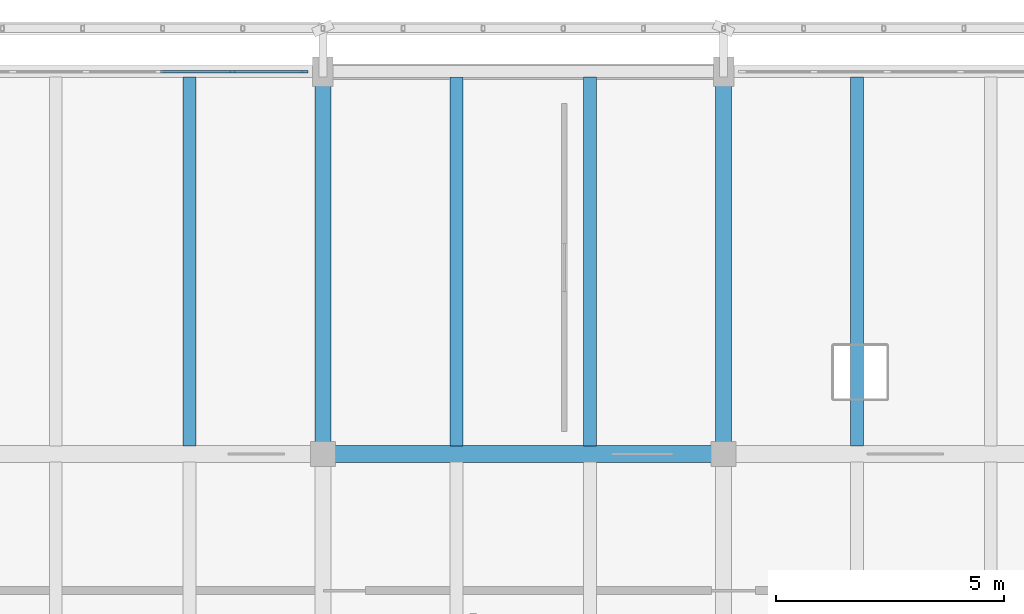
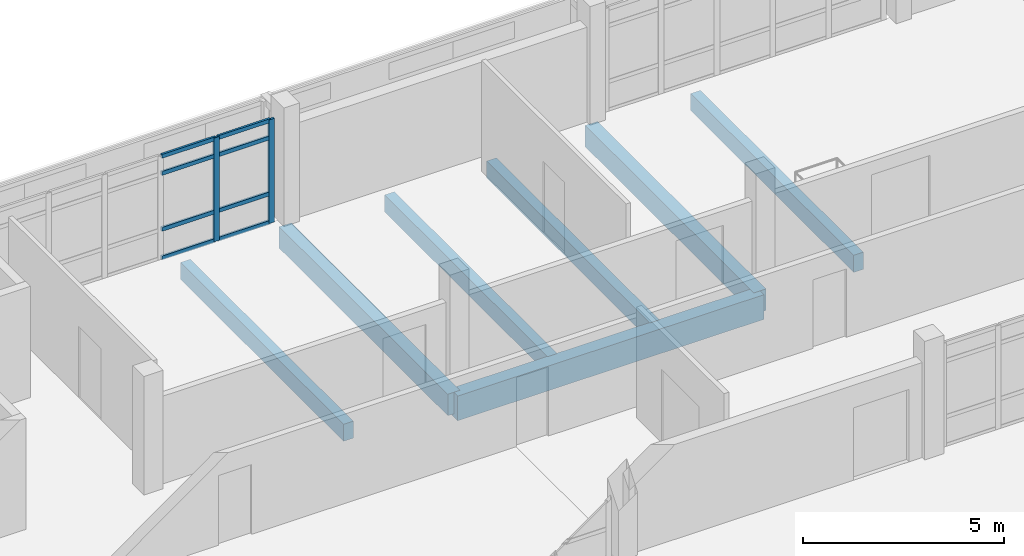
# One storey, part 13 of 30: 10 members, 7 beams, 1 element without a shape of its own.
"""IFC4 building model written with IfcOpenShell, lengths in metres."""

import ifcopenshell
import ifcopenshell.guid

model = None  # the IFC model being written
_history = None  # IfcOwnerHistory: only IFC2X3 demands one
_inside = {}  # id of a spatial element -> (the spatial element, [elements in it])
_under = {}  # id of a project, library or spatial element -> (it, [spatial elements below it])
_declared = {}  # id of a project -> (the project, [libraries it declares])
_typed = {}  # id of a type object -> (the type object, [elements of that type])
_made_of = {}  # id of a material, layer set ... -> (it, [elements and type objects made of it])


def new_model(schema):
    """Start an empty IFC model of exactly this schema.

    Asked for "IFC4X3", IfcOpenShell would pick the latest addendum, in which some entities
    have other attributes; the version numbers below select the first issue.
    IFC2X3 requires an IfcOwnerHistory on every rooted entity: one is made here for all.
    """
    global model, _history
    if schema == "IFC4X3":
        model = ifcopenshell.file(schema_version=(4, 3, 0, 0))
    else:
        model = ifcopenshell.file(schema=schema)
    _inside.clear()
    _under.clear()
    _declared.clear()
    _typed.clear()
    _made_of.clear()
    _history = None
    if model.schema == "IFC2X3":
        org = make("IfcOrganization", Name="unknown")
        user = make(
            "IfcPersonAndOrganization",
            ThePerson=make("IfcPerson", FamilyName="unknown"),
            TheOrganization=org,
        )
        app = make(
            "IfcApplication",
            ApplicationDeveloper=org,
            Version="unknown",
            ApplicationFullName="unknown",
            ApplicationIdentifier="unknown",
        )
        _history = make(
            "IfcOwnerHistory",
            OwningUser=user,
            OwningApplication=app,
            ChangeAction="ADDED",
            CreationDate=0,
        )
    return model


def make(cls, **values):
    """One entity of the class cls with the attributes given. An attribute that is None is left unset."""
    return model.create_entity(
        cls, **{name: value for name, value in values.items() if value is not None}
    )


def rooted(cls, **values):
    """An entity with a GlobalId (a new one), such as an element, a storey or a relation."""
    return make(cls, GlobalId=ifcopenshell.guid.new(), OwnerHistory=_history, **values)


def si_unit(unit_type, name, prefix=None):
    """IfcSIUnit, for example si_unit("LENGTHUNIT", "METRE", prefix="MILLI")."""
    return make("IfcSIUnit", UnitType=unit_type, Prefix=prefix, Name=name)


def assignment(units):
    """IfcUnitAssignment: the units of a project."""
    return None if units is None else make("IfcUnitAssignment", Units=units)


def point(xyz):
    """IfcCartesianPoint."""
    return None if xyz is None else make("IfcCartesianPoint", Coordinates=xyz)


def direction(xyz):
    """IfcDirection."""
    return None if xyz is None else make("IfcDirection", DirectionRatios=xyz)


def frame(location, z_axis=None, x_axis=None):
    """IfcAxis2Placement3D, a coordinate frame: its origin and axes. An axis left out is left unset."""
    return make(
        "IfcAxis2Placement3D",
        Location=point(location),
        Axis=direction(z_axis),
        RefDirection=direction(x_axis),
    )


def frame_2d(location, x_axis=None):
    """IfcAxis2Placement2D, a coordinate frame in the plane: its origin and x axis."""
    return make(
        "IfcAxis2Placement2D", Location=point(location), RefDirection=direction(x_axis)
    )


def origin():
    """The frame at (0, 0, 0) with its axes left unset."""
    return frame((0.0, 0.0, 0.0))


def origin_2d():
    """The frame at (0, 0) in the plane with its x axis left unset."""
    return frame_2d((0.0, 0.0))


def place(relative_to, where):
    """IfcLocalPlacement: puts the frame where relative to a parent placement (None: the world)."""
    return make(
        "IfcLocalPlacement", PlacementRelTo=relative_to, RelativePlacement=where
    )


def context(
    kind, dimensions, precision=None, world=None, true_north=None, identifier=None
):
    """IfcGeometricRepresentationContext, for example the 3D "Model" context."""
    return make(
        "IfcGeometricRepresentationContext",
        ContextIdentifier=identifier,
        ContextType=kind,
        CoordinateSpaceDimension=dimensions,
        Precision=precision,
        WorldCoordinateSystem=world,
        TrueNorth=true_north,
    )


def subcontext(parent, identifier, kind, view, scale=None):
    """IfcGeometricRepresentationSubContext, for example "Body" below "Model"."""
    return make(
        "IfcGeometricRepresentationSubContext",
        ContextIdentifier=identifier,
        ContextType=kind,
        ParentContext=parent,
        TargetScale=scale,
        TargetView=view,
    )


def project(units=None, contexts=None):
    """IfcProject with its units and contexts."""
    return rooted(
        "IfcProject",
        Name="project",
        RepresentationContexts=contexts,
        UnitsInContext=assignment(units),
    )


def spatial(cls, under=None, at=None, **own):
    """A site, building, storey or space (cls), placed at a placement, below another one or the project."""
    s = rooted(cls, ObjectPlacement=at, **own)
    if under is not None:
        _under.setdefault(under.id(), (under, []))[1].append(s)
    return s


def profile(cls, at=None, kind="AREA", **sizes):
    """A parametric profile (cls). Its sizes go by their IFC names, for example OverallWidth=200.0."""
    return make(cls, ProfileType=kind, Position=at, **sizes)


def rectangle(**sizes):
    """IfcRectangleProfileDef."""
    return profile("IfcRectangleProfileDef", **sizes)


def extrude(swept, where, along, depth):
    """IfcExtrudedAreaSolid: the profile swept, set in the frame where, extruded along a direction by depth."""
    return make(
        "IfcExtrudedAreaSolid",
        SweptArea=swept,
        Position=where,
        ExtrudedDirection=direction(along),
        Depth=depth,
    )


def shape(context_of_items, identifier, shape_type, items):
    """IfcShapeRepresentation: the items that make up one representation, for example the "Body"."""
    return make(
        "IfcShapeRepresentation",
        ContextOfItems=context_of_items,
        RepresentationIdentifier=identifier,
        RepresentationType=shape_type,
        Items=items,
    )


def material(Name=None, Category=None):
    """IfcMaterial."""
    return make("IfcMaterial", Name=Name, Category=Category)


def material_profile(
    of_material, cross_section, Name=None, Category=None, Priority=None
):
    """IfcMaterialProfile: a cross section and its material."""
    return make(
        "IfcMaterialProfile",
        Name=Name,
        Material=of_material,
        Profile=cross_section,
        Priority=Priority,
        Category=Category,
    )


def profile_set(profiles, Name=None, composite=None):
    """IfcMaterialProfileSet."""
    return make(
        "IfcMaterialProfileSet",
        Name=Name,
        MaterialProfiles=profiles,
        CompositeProfile=composite,
    )


def made_of(thing, what):
    """Note that an element or type object is made of a material, layer set ...; save() writes the relation."""
    if what is not None:
        _made_of.setdefault(what.id(), (what, []))[1].append(thing)
    return thing


def type_object(cls, material=None, **own):
    """A type object (cls), such as IfcWallType, which elements share."""
    return made_of(rooted(cls, **own), material)


def element(
    cls,
    number,
    at=None,
    inside=None,
    cuts=None,
    type_object=None,
    material=None,
    context=None,
    identifier="Body",
    shape_type=None,
    held_by="IfcProductDefinitionShape",
    body=None,
    shapes=None,
    **own,
):
    """One element of the class cls, such as IfcWall. Its Tag is "e" and its number.

    at: its placement. inside: the storey or other place that contains it. cuts: it is an
    opening in that element (IfcRelVoidsElement). A single representation is given by context,
    identifier, shape_type and body (its items); several are given by shapes. held_by: the class
    of the entity that holds the representations. save() writes the other relations.
    """
    e = rooted(cls, Tag="e%d" % number, ObjectPlacement=at, **own)
    if body is not None:
        shapes = [shape(context, identifier, shape_type, body)]
    if shapes is not None:
        e.Representation = make(held_by, Representations=shapes)
    if inside is not None:
        _inside.setdefault(inside.id(), (inside, []))[1].append(e)
    if cuts is not None:
        rooted(
            "IfcRelVoidsElement", RelatingBuildingElement=cuts, RelatedOpeningElement=e
        )
    if type_object is not None:
        _typed.setdefault(type_object.id(), (type_object, []))[1].append(e)
    return made_of(e, material)


def aggregate(whole, parts):
    """IfcRelAggregates: a whole, such as a stair, and the parts it consists of."""
    return rooted("IfcRelAggregates", RelatingObject=whole, RelatedObjects=parts)


def save(model, path):
    """Write the relations noted so far, then the file.

    IfcRelAggregates (storeys below a building ...), IfcRelContainedInSpatialStructure (elements
    in a storey), IfcRelDefinesByType, IfcRelAssociatesMaterial and IfcRelDeclares: one each for
    every whole, place, type object, material and project.
    """
    for whole, parts in _under.values():
        aggregate(whole, parts)
    for where, things in _inside.values():
        rooted(
            "IfcRelContainedInSpatialStructure",
            RelatedElements=things,
            RelatingStructure=where,
        )
    for kind, things in _typed.values():
        rooted("IfcRelDefinesByType", RelatedObjects=things, RelatingType=kind)
    for what, things in _made_of.values():
        rooted("IfcRelAssociatesMaterial", RelatedObjects=things, RelatingMaterial=what)
    for by, libraries in _declared.values():
        rooted("IfcRelDeclares", RelatingContext=by, RelatedDefinitions=libraries)
    model.write(path)


model = new_model("IFC4")

# Units and contexts
model_context = context("Model", 3, precision=1e-05, world=origin(), true_north=direction((0.0, 1.0)))
body_context = subcontext(model_context, "Body", "Model", "MODEL_VIEW")
ifc_project = project(units=[si_unit("LENGTHUNIT", "METRE"), si_unit("AREAUNIT", "SQUARE_METRE"), si_unit("VOLUMEUNIT", "CUBIC_METRE"), si_unit("PLANEANGLEUNIT", "RADIAN"), si_unit("MASSUNIT", "GRAM", prefix="KILO")], contexts=[model_context])

# Site, building, storey
site_placement = place(None, origin())
site = spatial("IfcSite", under=ifc_project, at=site_placement, CompositionType="ELEMENT")
building_placement = place(site_placement, origin())
building = spatial("IfcBuilding", under=site, at=building_placement, Name="Cinderway Yard Community Centre", CompositionType="ELEMENT")
storey_placement = place(building_placement, frame((0.0, 0.0, 16.5)))
storey = spatial("IfcBuildingStorey", under=building, at=storey_placement, Name="L04", CompositionType="ELEMENT", Elevation=16.5)

# Curtain wall, members
ifc_material_1 = material(Name="Aluminium 6063-T6", Category="aluminium")
curtain_wall_type = type_object("IfcCurtainWallType", Name="ENV-CW-TYPE-33", PredefinedType="USERDEFINED", material=ifc_material_1)
curtain_wall_placement = place(storey_placement, origin())
curtain_wall = element("IfcCurtainWall", 1, at=curtain_wall_placement, inside=storey, type_object=curtain_wall_type, Name="V4 Street Curtain Wall ENV-CW-L04-ST-0181", ObjectType="GLAZED CURTAIN WALL", PredefinedType="USERDEFINED")
ifc_material_profile_1 = material_profile(ifc_material_1, rectangle(XDim=0.06005859375, YDim=0.159912109375, at=origin_2d()), Name="Aluminium 6063-T6")
ifc_profile_set_1 = profile_set([ifc_material_profile_1], Name="Aluminium 6063-T6")
member_type_1 = type_object("IfcMemberType", Name="ENV-CW-MULL-150", PredefinedType="MULLION", material=ifc_profile_set_1)
member_1_placement = place(storey_placement, frame((90.81201171875, 115.199951171875, 0.0), z_axis=(0.0, 0.0, 1.0), x_axis=(0.0, 1.0, 0.0)))
member_1 = element("IfcMember", 2, at=member_1_placement, type_object=member_type_1, Name="CW-33 mullion 5", PredefinedType="MULLION", context=body_context, shape_type="SweptSolid", body=[
    extrude(rectangle(XDim=0.06005859375, YDim=0.159912109375, at=origin_2d()), origin(), (0.0, 0.0, 1.0), 3.14990234375),
])
member_2_placement = place(storey_placement, frame((92.389892578125, 115.199951171875, 0.0), z_axis=(0.0, 0.0, 1.0), x_axis=(0.0, 1.0, 0.0)))
member_2 = element("IfcMember", 3, at=member_2_placement, type_object=member_type_1, Name="CW-33 mullion 6", PredefinedType="MULLION", context=body_context, shape_type="SweptSolid", body=[
    extrude(rectangle(XDim=0.06005859375, YDim=0.159912109375, at=origin_2d()), origin(), (0.0, 0.0, 1.0), 3.14990234375),
])
ifc_material_profile_2 = material_profile(ifc_material_1, rectangle(XDim=0.06005859375, YDim=0.1201171875, at=origin_2d()), Name="Aluminium 6063-T6")
ifc_profile_set_2 = profile_set([ifc_material_profile_2], Name="Aluminium 6063-T6")
member_type_2 = type_object("IfcMemberType", Name="ENV-CW-TRAN-110", PredefinedType="USERDEFINED", material=ifc_profile_set_2)
member_3_placement = place(storey_placement, frame((89.23388671875, 115.199951171875, 0.030029296875), z_axis=(1.0, 0.0, 0.0), x_axis=(0.0, 1.0, 0.0)))
member_3 = element("IfcMember", 4, at=member_3_placement, type_object=member_type_2, Name="CW-33 transom 4.1", ObjectType="TRANSOM", PredefinedType="USERDEFINED", context=body_context, shape_type="SweptSolid", body=[
    extrude(rectangle(XDim=0.06005859375, YDim=0.1201171875, at=origin_2d()), origin(), (0.0, 0.0, 1.0), 1.548095703125),
])
member_4_placement = place(storey_placement, frame((89.23388671875, 115.199951171875, 0.89990234375), z_axis=(1.0, 0.0, 0.0), x_axis=(0.0, 1.0, 0.0)))
member_4 = element("IfcMember", 5, at=member_4_placement, type_object=member_type_2, Name="CW-33 transom 4.2", ObjectType="TRANSOM", PredefinedType="USERDEFINED", context=body_context, shape_type="SweptSolid", body=[
    extrude(rectangle(XDim=0.06005859375, YDim=0.1201171875, at=origin_2d()), origin(), (0.0, 0.0, 1.0), 1.548095703125),
])
member_5_placement = place(storey_placement, frame((89.23388671875, 115.199951171875, 2.60009765625), z_axis=(1.0, 0.0, 0.0), x_axis=(0.0, 1.0, 0.0)))
member_5 = element("IfcMember", 6, at=member_5_placement, type_object=member_type_2, Name="CW-33 transom 4.3", ObjectType="TRANSOM", PredefinedType="USERDEFINED", context=body_context, shape_type="SweptSolid", body=[
    extrude(rectangle(XDim=0.06005859375, YDim=0.1201171875, at=origin_2d()), origin(), (0.0, 0.0, 1.0), 1.548095703125),
])
member_6_placement = place(storey_placement, frame((89.23388671875, 115.199951171875, 3.1201171875), z_axis=(1.0, 0.0, 0.0), x_axis=(0.0, 1.0, 0.0)))
member_6 = element("IfcMember", 7, at=member_6_placement, type_object=member_type_2, Name="CW-33 transom 4.4", ObjectType="TRANSOM", PredefinedType="USERDEFINED", context=body_context, shape_type="SweptSolid", body=[
    extrude(rectangle(XDim=0.06005859375, YDim=0.1201171875, at=origin_2d()), origin(), (0.0, 0.0, 1.0), 1.548095703125),
])
member_7_placement = place(storey_placement, frame((90.842041015625, 115.199951171875, 0.030029296875), z_axis=(1.0, 0.0, 0.0), x_axis=(0.0, 1.0, 0.0)))
member_7 = element("IfcMember", 8, at=member_7_placement, type_object=member_type_2, Name="CW-33 transom 5.1", ObjectType="TRANSOM", PredefinedType="USERDEFINED", context=body_context, shape_type="SweptSolid", body=[
    extrude(rectangle(XDim=0.06005859375, YDim=0.1201171875, at=origin_2d()), origin(), (0.0, 0.0, 1.0), 1.51806640625),
])
member_8_placement = place(storey_placement, frame((90.842041015625, 115.199951171875, 0.89990234375), z_axis=(1.0, 0.0, 0.0), x_axis=(0.0, 1.0, 0.0)))
member_8 = element("IfcMember", 9, at=member_8_placement, type_object=member_type_2, Name="CW-33 transom 5.2", ObjectType="TRANSOM", PredefinedType="USERDEFINED", context=body_context, shape_type="SweptSolid", body=[
    extrude(rectangle(XDim=0.06005859375, YDim=0.1201171875, at=origin_2d()), origin(), (0.0, 0.0, 1.0), 1.51806640625),
])
member_9_placement = place(storey_placement, frame((90.842041015625, 115.199951171875, 2.60009765625), z_axis=(1.0, 0.0, 0.0), x_axis=(0.0, 1.0, 0.0)))
member_9 = element("IfcMember", 10, at=member_9_placement, type_object=member_type_2, Name="CW-33 transom 5.3", ObjectType="TRANSOM", PredefinedType="USERDEFINED", context=body_context, shape_type="SweptSolid", body=[
    extrude(rectangle(XDim=0.06005859375, YDim=0.1201171875, at=origin_2d()), origin(), (0.0, 0.0, 1.0), 1.51806640625),
])
member_10_placement = place(storey_placement, frame((90.842041015625, 115.199951171875, 3.1201171875), z_axis=(1.0, 0.0, 0.0), x_axis=(0.0, 1.0, 0.0)))
member_10 = element("IfcMember", 11, at=member_10_placement, type_object=member_type_2, Name="CW-33 transom 5.4", ObjectType="TRANSOM", PredefinedType="USERDEFINED", context=body_context, shape_type="SweptSolid", body=[
    extrude(rectangle(XDim=0.06005859375, YDim=0.1201171875, at=origin_2d()), origin(), (0.0, 0.0, 1.0), 1.51806640625),
])
aggregate(curtain_wall, [member_1, member_2, member_3, member_4, member_5, member_6, member_7, member_8, member_9, member_10])

# Beams
ifc_material_2 = material(Name="Concrete C35/45", Category="concrete")
ifc_material_profile_3 = material_profile(ifc_material_2, rectangle(XDim=0.280029296875, YDim=0.52001953125, at=origin_2d()), Name="Concrete C35/45")
ifc_profile_set_3 = profile_set([ifc_material_profile_3], Name="Concrete C35/45")
beam_type_1 = type_object("IfcBeamType", Name="STR-BM-RC280X520", PredefinedType="JOIST", material=ifc_profile_set_3)
for number, where, z_axis, x_axis, name in (
    (12, (89.866943359375, 106.971923828125, -0.47998046875), (0.0, 1.0, 0.0), (-1.0, 0.0, 0.0), "Secondary joist STR-BM-L04-BJ04-0886"),
    (13, (95.73291015625, 106.971923828125, -0.47998046875), (0.0, 1.0, 0.0), (-1.0, 0.0, 0.0), "Secondary joist STR-BM-L04-BJ04-0889"),
    (14, (98.6669921875, 106.971923828125, -0.47998046875), (0.0, 1.0, 0.0), (-1.0, 0.0, 0.0), "Secondary joist STR-BM-L04-BJ04-0890"),
    (15, (104.532958984375, 106.971923828125, -0.47998046875), (0.0, 1.0, 0.0), (-1.0, 0.0, 0.0), "Secondary joist STR-BM-L04-BJ04-0893"),
):
    element("IfcBeam", number, at=place(storey_placement, frame(where, z_axis=z_axis, x_axis=x_axis)), inside=storey, type_object=beam_type_1, Name=name, PredefinedType="JOIST", context=body_context, shape_type="SweptSolid", body=[
        extrude(rectangle(XDim=0.280029296875, YDim=0.52001953125, at=origin_2d()), origin(), (0.0, 0.0, 1.0), 8.115966796875),
    ])
ifc_material_profile_4 = material_profile(ifc_material_2, rectangle(XDim=0.35009765625, YDim=0.64990234375, at=origin_2d()), Name="Concrete C35/45")
ifc_profile_set_4 = profile_set([ifc_material_profile_4], Name="Concrete C35/45")
beam_type_2 = type_object("IfcBeamType", Name="STR-BM-RC350X650", PredefinedType="BEAM", material=ifc_profile_set_4)
for number, where, z_axis, x_axis, name in (
    (16, (92.800048828125, 106.800048828125, -0.544921875), (0.0, 1.0, 0.0), (-1.0, 0.0, 0.0), "Transverse girder STR-BM-L04-BG08-0856"),
    (17, (101.60009765625, 106.800048828125, -0.544921875), (0.0, 1.0, 0.0), (-1.0, 0.0, 0.0), "Transverse girder STR-BM-L04-BG08-0858"),
):
    element("IfcBeam", number, at=place(storey_placement, frame(where, z_axis=z_axis, x_axis=x_axis)), inside=storey, type_object=beam_type_2, Name=name, PredefinedType="BEAM", context=body_context, shape_type="SweptSolid", body=[
        extrude(rectangle(XDim=0.35009765625, YDim=0.64990234375, at=origin_2d()), origin(), (0.0, 0.0, 1.0), 8.39990234375),
    ])
ifc_material_profile_5 = material_profile(ifc_material_2, rectangle(XDim=0.3798828125, YDim=0.75, at=origin_2d()), Name="Concrete C35/45")
ifc_profile_set_5 = profile_set([ifc_material_profile_5], Name="Concrete C35/45")
beam_type_3 = type_object("IfcBeamType", Name="STR-BM-RC380X750", PredefinedType="BEAM", material=ifc_profile_set_5)
beam_placement = place(storey_placement, frame((92.800048828125, 106.800048828125, -0.594970703125), z_axis=(1.0, 0.0, 0.0), x_axis=(0.0, 1.0, 0.0)))
element("IfcBeam", 18, at=beam_placement, inside=storey, type_object=beam_type_3, Name="Primary girder STR-BM-L04-BG06-0827", PredefinedType="BEAM", context=body_context, shape_type="SweptSolid", body=[
    extrude(rectangle(XDim=0.3798828125, YDim=0.75, at=origin_2d()), origin(), (0.0, 0.0, 1.0), 8.800048828125),
])

save(model, "model.ifc")
